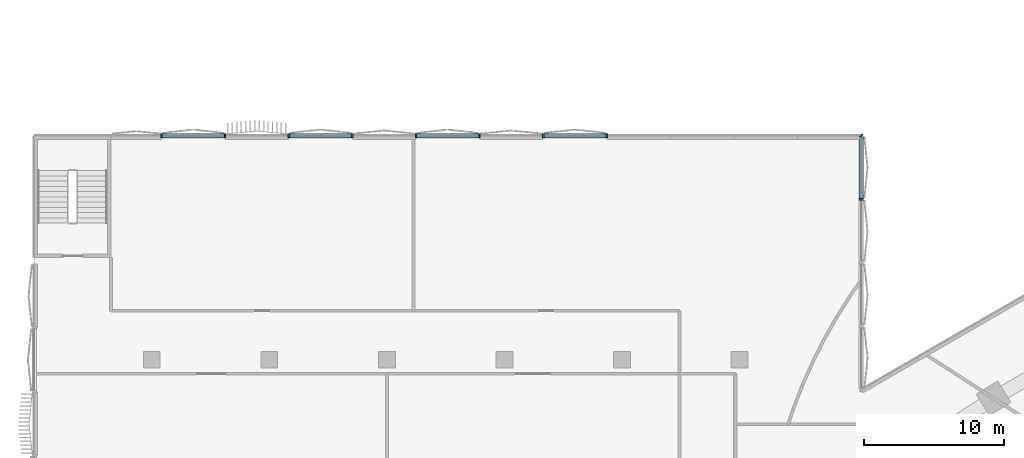
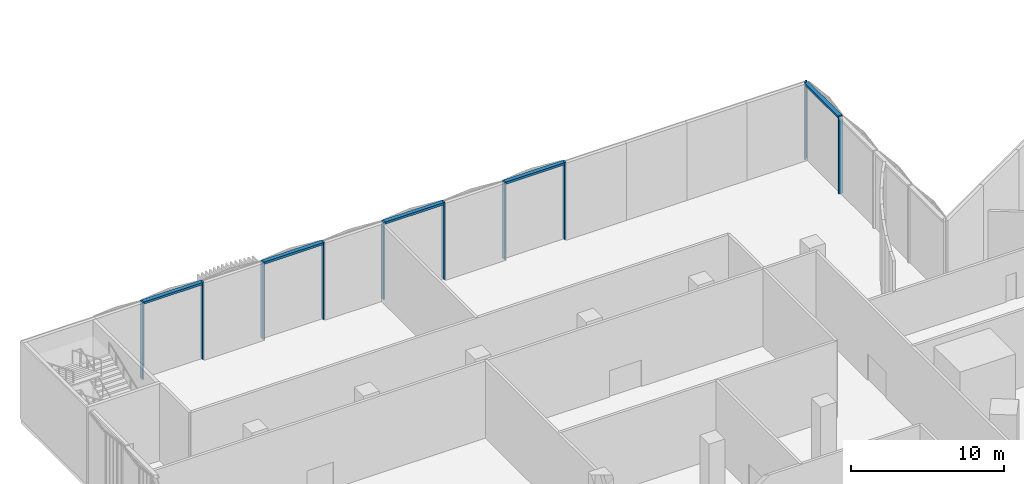
# One storey, part 8 of 32: 15 members, 2 elements without a shape of their own.
"""IFC4 building model written with IfcOpenShell, lengths in metres."""

import ifcopenshell
import ifcopenshell.guid

model = None  # the IFC model being written
_history = None  # IfcOwnerHistory: only IFC2X3 demands one
_inside = {}  # id of a spatial element -> (the spatial element, [elements in it])
_under = {}  # id of a project, library or spatial element -> (it, [spatial elements below it])
_declared = {}  # id of a project -> (the project, [libraries it declares])
_typed = {}  # id of a type object -> (the type object, [elements of that type])
_made_of = {}  # id of a material, layer set ... -> (it, [elements and type objects made of it])


def new_model(schema):
    """Start an empty IFC model of exactly this schema.

    Asked for "IFC4X3", IfcOpenShell would pick the latest addendum, in which some entities
    have other attributes; the version numbers below select the first issue.
    IFC2X3 requires an IfcOwnerHistory on every rooted entity: one is made here for all.
    """
    global model, _history
    if schema == "IFC4X3":
        model = ifcopenshell.file(schema_version=(4, 3, 0, 0))
    else:
        model = ifcopenshell.file(schema=schema)
    _inside.clear()
    _under.clear()
    _declared.clear()
    _typed.clear()
    _made_of.clear()
    _history = None
    if model.schema == "IFC2X3":
        org = make("IfcOrganization", Name="unknown")
        user = make(
            "IfcPersonAndOrganization",
            ThePerson=make("IfcPerson", FamilyName="unknown"),
            TheOrganization=org,
        )
        app = make(
            "IfcApplication",
            ApplicationDeveloper=org,
            Version="unknown",
            ApplicationFullName="unknown",
            ApplicationIdentifier="unknown",
        )
        _history = make(
            "IfcOwnerHistory",
            OwningUser=user,
            OwningApplication=app,
            ChangeAction="ADDED",
            CreationDate=0,
        )
    return model


def make(cls, **values):
    """One entity of the class cls with the attributes given. An attribute that is None is left unset."""
    return model.create_entity(
        cls, **{name: value for name, value in values.items() if value is not None}
    )


def rooted(cls, **values):
    """An entity with a GlobalId (a new one), such as an element, a storey or a relation."""
    return make(cls, GlobalId=ifcopenshell.guid.new(), OwnerHistory=_history, **values)


def si_unit(unit_type, name, prefix=None):
    """IfcSIUnit, for example si_unit("LENGTHUNIT", "METRE", prefix="MILLI")."""
    return make("IfcSIUnit", UnitType=unit_type, Prefix=prefix, Name=name)


def assignment(units):
    """IfcUnitAssignment: the units of a project."""
    return None if units is None else make("IfcUnitAssignment", Units=units)


def point(xyz):
    """IfcCartesianPoint."""
    return None if xyz is None else make("IfcCartesianPoint", Coordinates=xyz)


def direction(xyz):
    """IfcDirection."""
    return None if xyz is None else make("IfcDirection", DirectionRatios=xyz)


def frame(location, z_axis=None, x_axis=None):
    """IfcAxis2Placement3D, a coordinate frame: its origin and axes. An axis left out is left unset."""
    return make(
        "IfcAxis2Placement3D",
        Location=point(location),
        Axis=direction(z_axis),
        RefDirection=direction(x_axis),
    )


def frame_2d(location, x_axis=None):
    """IfcAxis2Placement2D, a coordinate frame in the plane: its origin and x axis."""
    return make(
        "IfcAxis2Placement2D", Location=point(location), RefDirection=direction(x_axis)
    )


def origin():
    """The frame at (0, 0, 0) with its axes left unset."""
    return frame((0.0, 0.0, 0.0))


def origin_2d():
    """The frame at (0, 0) in the plane with its x axis left unset."""
    return frame_2d((0.0, 0.0))


def place(relative_to, where):
    """IfcLocalPlacement: puts the frame where relative to a parent placement (None: the world)."""
    return make(
        "IfcLocalPlacement", PlacementRelTo=relative_to, RelativePlacement=where
    )


def context(
    kind, dimensions, precision=None, world=None, true_north=None, identifier=None
):
    """IfcGeometricRepresentationContext, for example the 3D "Model" context."""
    return make(
        "IfcGeometricRepresentationContext",
        ContextIdentifier=identifier,
        ContextType=kind,
        CoordinateSpaceDimension=dimensions,
        Precision=precision,
        WorldCoordinateSystem=world,
        TrueNorth=true_north,
    )


def subcontext(parent, identifier, kind, view, scale=None):
    """IfcGeometricRepresentationSubContext, for example "Body" below "Model"."""
    return make(
        "IfcGeometricRepresentationSubContext",
        ContextIdentifier=identifier,
        ContextType=kind,
        ParentContext=parent,
        TargetScale=scale,
        TargetView=view,
    )


def project(units=None, contexts=None):
    """IfcProject with its units and contexts."""
    return rooted(
        "IfcProject",
        Name="project",
        RepresentationContexts=contexts,
        UnitsInContext=assignment(units),
    )


def spatial(cls, under=None, at=None, **own):
    """A site, building, storey or space (cls), placed at a placement, below another one or the project."""
    s = rooted(cls, ObjectPlacement=at, **own)
    if under is not None:
        _under.setdefault(under.id(), (under, []))[1].append(s)
    return s


def profile(cls, at=None, kind="AREA", **sizes):
    """A parametric profile (cls). Its sizes go by their IFC names, for example OverallWidth=200.0."""
    return make(cls, ProfileType=kind, Position=at, **sizes)


def rectangle(**sizes):
    """IfcRectangleProfileDef."""
    return profile("IfcRectangleProfileDef", **sizes)


def extrude(swept, where, along, depth):
    """IfcExtrudedAreaSolid: the profile swept, set in the frame where, extruded along a direction by depth."""
    return make(
        "IfcExtrudedAreaSolid",
        SweptArea=swept,
        Position=where,
        ExtrudedDirection=direction(along),
        Depth=depth,
    )


def shape(context_of_items, identifier, shape_type, items):
    """IfcShapeRepresentation: the items that make up one representation, for example the "Body"."""
    return make(
        "IfcShapeRepresentation",
        ContextOfItems=context_of_items,
        RepresentationIdentifier=identifier,
        RepresentationType=shape_type,
        Items=items,
    )


def material(Name=None, Category=None):
    """IfcMaterial."""
    return make("IfcMaterial", Name=Name, Category=Category)


def material_profile(
    of_material, cross_section, Name=None, Category=None, Priority=None
):
    """IfcMaterialProfile: a cross section and its material."""
    return make(
        "IfcMaterialProfile",
        Name=Name,
        Material=of_material,
        Profile=cross_section,
        Priority=Priority,
        Category=Category,
    )


def profile_set(profiles, Name=None, composite=None):
    """IfcMaterialProfileSet."""
    return make(
        "IfcMaterialProfileSet",
        Name=Name,
        MaterialProfiles=profiles,
        CompositeProfile=composite,
    )


def made_of(thing, what):
    """Note that an element or type object is made of a material, layer set ...; save() writes the relation."""
    if what is not None:
        _made_of.setdefault(what.id(), (what, []))[1].append(thing)
    return thing


def type_object(cls, material=None, **own):
    """A type object (cls), such as IfcWallType, which elements share."""
    return made_of(rooted(cls, **own), material)


def element(
    cls,
    number,
    at=None,
    inside=None,
    cuts=None,
    type_object=None,
    material=None,
    context=None,
    identifier="Body",
    shape_type=None,
    held_by="IfcProductDefinitionShape",
    body=None,
    shapes=None,
    **own,
):
    """One element of the class cls, such as IfcWall. Its Tag is "e" and its number.

    at: its placement. inside: the storey or other place that contains it. cuts: it is an
    opening in that element (IfcRelVoidsElement). A single representation is given by context,
    identifier, shape_type and body (its items); several are given by shapes. held_by: the class
    of the entity that holds the representations. save() writes the other relations.
    """
    e = rooted(cls, Tag="e%d" % number, ObjectPlacement=at, **own)
    if body is not None:
        shapes = [shape(context, identifier, shape_type, body)]
    if shapes is not None:
        e.Representation = make(held_by, Representations=shapes)
    if inside is not None:
        _inside.setdefault(inside.id(), (inside, []))[1].append(e)
    if cuts is not None:
        rooted(
            "IfcRelVoidsElement", RelatingBuildingElement=cuts, RelatedOpeningElement=e
        )
    if type_object is not None:
        _typed.setdefault(type_object.id(), (type_object, []))[1].append(e)
    return made_of(e, material)


def aggregate(whole, parts):
    """IfcRelAggregates: a whole, such as a stair, and the parts it consists of."""
    return rooted("IfcRelAggregates", RelatingObject=whole, RelatedObjects=parts)


def save(model, path):
    """Write the relations noted so far, then the file.

    IfcRelAggregates (storeys below a building ...), IfcRelContainedInSpatialStructure (elements
    in a storey), IfcRelDefinesByType, IfcRelAssociatesMaterial and IfcRelDeclares: one each for
    every whole, place, type object, material and project.
    """
    for whole, parts in _under.values():
        aggregate(whole, parts)
    for where, things in _inside.values():
        rooted(
            "IfcRelContainedInSpatialStructure",
            RelatedElements=things,
            RelatingStructure=where,
        )
    for kind, things in _typed.values():
        rooted("IfcRelDefinesByType", RelatedObjects=things, RelatingType=kind)
    for what, things in _made_of.values():
        rooted("IfcRelAssociatesMaterial", RelatedObjects=things, RelatingMaterial=what)
    for by, libraries in _declared.values():
        rooted("IfcRelDeclares", RelatingContext=by, RelatedDefinitions=libraries)
    model.write(path)


model = new_model("IFC4")

# Units and contexts
model_context = context("Model", 3, precision=1e-05, world=origin(), true_north=direction((0.0, 1.0)))
body_context = subcontext(model_context, "Body", "Model", "MODEL_VIEW")
ifc_project = project(units=[si_unit("LENGTHUNIT", "METRE"), si_unit("AREAUNIT", "SQUARE_METRE"), si_unit("VOLUMEUNIT", "CUBIC_METRE"), si_unit("PLANEANGLEUNIT", "RADIAN"), si_unit("MASSUNIT", "GRAM", prefix="KILO")], contexts=[model_context])

# Site, building, storey
site_placement = place(None, origin())
site = spatial("IfcSite", under=ifc_project, at=site_placement, CompositionType="ELEMENT")
building_placement = place(site_placement, origin())
building = spatial("IfcBuilding", under=site, at=building_placement, Name="Tamra Quay Hotel Tower", CompositionType="ELEMENT")
storey_placement = place(building_placement, frame((0.0, 0.0, 7.5)))
storey = spatial("IfcBuildingStorey", under=building, at=storey_placement, Name="L01", CompositionType="ELEMENT", Elevation=7.5)

# Curtain wall, members
ifc_material = material(Name="Aluminium 6063 anodised dark grey", Category="aluminium")
curtain_wall_type = type_object("IfcCurtainWallType", Name="CW4 CURTAIN WALL", PredefinedType="NOTDEFINED", material=ifc_material)
curtain_wall_1_placement = place(storey_placement, origin())
curtain_wall_1 = element("IfcCurtainWall", 1, at=curtain_wall_1_placement, inside=storey, type_object=curtain_wall_type, Name="CW4 east face L01", PredefinedType="NOTDEFINED")
ifc_material_profile_1 = material_profile(ifc_material, rectangle(XDim=0.300048828125, YDim=0.1201171875, at=origin_2d()), Name="MULLION 120X300")
ifc_profile_set_1 = profile_set([ifc_material_profile_1], Name="Aluminium 6063 anodised dark grey")
member_type_1 = type_object("IfcMemberType", Name="MULLION CW4", PredefinedType="MULLION", material=ifc_profile_set_1)
member_1_placement = place(storey_placement, frame((-30.0, 27.464111328125, 0.0), z_axis=(0.0, 0.0, 1.0), x_axis=(1.0, 0.0, 0.0)))
member_1 = element("IfcMember", 2, at=member_1_placement, type_object=member_type_1, Name="CW4 mullion L01.E.21", PredefinedType="MULLION", context=body_context, shape_type="SweptSolid", body=[
    extrude(rectangle(XDim=0.300048828125, YDim=0.1201171875, at=origin_2d()), origin(), (0.0, 0.0, 1.0), 6.14990234375),
])
member_2_placement = place(storey_placement, frame((-30.0, 32.0, 0.0), z_axis=(0.0, 0.0, 1.0), x_axis=(0.707106781187, 0.707106781187, 0.0)))
member_2 = element("IfcMember", 3, at=member_2_placement, type_object=member_type_1, Name="CW4 mullion L01.E.22", PredefinedType="MULLION", context=body_context, shape_type="SweptSolid", body=[
    extrude(rectangle(XDim=0.300048828125, YDim=0.1201171875, at=origin_2d()), origin(), (0.0, 0.0, 1.0), 6.14990234375),
])

curtain_wall_2_placement = place(storey_placement, origin())
curtain_wall_2 = element("IfcCurtainWall", 4, at=curtain_wall_2_placement, inside=storey, type_object=curtain_wall_type, Name="CW4 north-west face L01", PredefinedType="NOTDEFINED")
member_3_placement = place(storey_placement, frame((-48.1845703125, 32.0, 0.0), z_axis=(0.0, 0.0, 1.0), x_axis=(0.0, 1.0, 0.0)))
member_3 = element("IfcMember", 5, at=member_3_placement, type_object=member_type_1, Name="CW4 mullion L01.NW.1", PredefinedType="MULLION", context=body_context, shape_type="SweptSolid", body=[
    extrude(rectangle(XDim=0.300048828125, YDim=0.1201171875, at=origin_2d()), origin(), (0.0, 0.0, 1.0), 6.14990234375),
])
member_4_placement = place(storey_placement, frame((-52.730712890625, 32.0, 0.0), z_axis=(0.0, 0.0, 1.0), x_axis=(0.0, 1.0, 0.0)))
member_4 = element("IfcMember", 6, at=member_4_placement, type_object=member_type_1, Name="CW4 mullion L01.NW.2", PredefinedType="MULLION", context=body_context, shape_type="SweptSolid", body=[
    extrude(rectangle(XDim=0.300048828125, YDim=0.1201171875, at=origin_2d()), origin(), (0.0, 0.0, 1.0), 6.14990234375),
])
member_5_placement = place(storey_placement, frame((-57.27685546875, 32.0, 0.0), z_axis=(0.0, 0.0, 1.0), x_axis=(0.0, 1.0, 0.0)))
member_5 = element("IfcMember", 7, at=member_5_placement, type_object=member_type_1, Name="CW4 mullion L01.NW.2", PredefinedType="MULLION", context=body_context, shape_type="SweptSolid", body=[
    extrude(rectangle(XDim=0.300048828125, YDim=0.1201171875, at=origin_2d()), origin(), (0.0, 0.0, 1.0), 6.14990234375),
])
member_6_placement = place(storey_placement, frame((-61.822998046875, 32.0, 0.0), z_axis=(0.0, 0.0, 1.0), x_axis=(0.0, 1.0, 0.0)))
member_6 = element("IfcMember", 8, at=member_6_placement, type_object=member_type_1, Name="CW4 mullion L01.NW.3", PredefinedType="MULLION", context=body_context, shape_type="SweptSolid", body=[
    extrude(rectangle(XDim=0.300048828125, YDim=0.1201171875, at=origin_2d()), origin(), (0.0, 0.0, 1.0), 6.14990234375),
])
member_7_placement = place(storey_placement, frame((-66.369140625, 32.0, 0.0), z_axis=(0.0, 0.0, 1.0), x_axis=(0.0, 1.0, 0.0)))
member_7 = element("IfcMember", 9, at=member_7_placement, type_object=member_type_1, Name="CW4 mullion L01.NW.3", PredefinedType="MULLION", context=body_context, shape_type="SweptSolid", body=[
    extrude(rectangle(XDim=0.300048828125, YDim=0.1201171875, at=origin_2d()), origin(), (0.0, 0.0, 1.0), 6.14990234375),
])
member_8_placement = place(storey_placement, frame((-70.915283203125, 32.0, 0.0), z_axis=(0.0, 0.0, 1.0), x_axis=(0.0, 1.0, 0.0)))
member_8 = element("IfcMember", 10, at=member_8_placement, type_object=member_type_1, Name="CW4 mullion L01.NW.4", PredefinedType="MULLION", context=body_context, shape_type="SweptSolid", body=[
    extrude(rectangle(XDim=0.300048828125, YDim=0.1201171875, at=origin_2d()), origin(), (0.0, 0.0, 1.0), 6.14990234375),
])
member_9_placement = place(storey_placement, frame((-75.46142578125, 32.0, 0.0), z_axis=(0.0, 0.0, 1.0), x_axis=(0.0, 1.0, 0.0)))
member_9 = element("IfcMember", 11, at=member_9_placement, type_object=member_type_1, Name="CW4 mullion L01.NW.4", PredefinedType="MULLION", context=body_context, shape_type="SweptSolid", body=[
    extrude(rectangle(XDim=0.300048828125, YDim=0.1201171875, at=origin_2d()), origin(), (0.0, 0.0, 1.0), 6.14990234375),
])
member_10_placement = place(storey_placement, frame((-80.0078125, 32.0, 0.0), z_axis=(0.0, 0.0, 1.0), x_axis=(0.0, 1.0, 0.0)))
member_10 = element("IfcMember", 12, at=member_10_placement, type_object=member_type_1, Name="CW4 mullion L01.NW.5", PredefinedType="MULLION", context=body_context, shape_type="SweptSolid", body=[
    extrude(rectangle(XDim=0.300048828125, YDim=0.1201171875, at=origin_2d()), origin(), (0.0, 0.0, 1.0), 6.14990234375),
])

# Member
ifc_material_profile_2 = material_profile(ifc_material, rectangle(XDim=0.300048828125, YDim=0.179931640625, at=origin_2d()), Name="TRANSOM 300X180")
ifc_profile_set_2 = profile_set([ifc_material_profile_2], Name="Aluminium 6063 anodised dark grey")
member_type_2 = type_object("IfcMemberType", Name="TRANSOM CW4", PredefinedType="USERDEFINED", material=ifc_profile_set_2)
member_11_placement = place(storey_placement, frame((-30.0, 27.524169921875, 6.06005859375), z_axis=(0.0, 1.0, 0.0), x_axis=(-1.0, 0.0, 0.0)))
member_11 = element("IfcMember", 13, at=member_11_placement, type_object=member_type_2, Name="CW4 transom L01.E.21", ObjectType="TRANSOM", PredefinedType="USERDEFINED", context=body_context, shape_type="SweptSolid", body=[
    extrude(rectangle(XDim=0.300048828125, YDim=0.179931640625, at=origin_2d()), origin(), (0.0, 0.0, 1.0), 4.415771484375),
])

aggregate(curtain_wall_1, [member_1, member_11, member_2])

member_12_placement = place(storey_placement, frame((-48.24462890625, 32.0, 6.06005859375), z_axis=(-1.0, 0.0, 0.0), x_axis=(0.0, -1.0, 0.0)))
member_12 = element("IfcMember", 14, at=member_12_placement, type_object=member_type_2, Name="CW4 transom L01.NW.1", ObjectType="TRANSOM", PredefinedType="USERDEFINED", context=body_context, shape_type="SweptSolid", body=[
    extrude(rectangle(XDim=0.300048828125, YDim=0.179931640625, at=origin_2d()), origin(), (0.0, 0.0, 1.0), 4.426025390625),
])

member_13_placement = place(storey_placement, frame((-57.3369140625, 32.0, 6.06005859375), z_axis=(-1.0, 0.0, 0.0), x_axis=(0.0, -1.0, 0.0)))
member_13 = element("IfcMember", 15, at=member_13_placement, type_object=member_type_2, Name="CW4 transom L01.NW.2", ObjectType="TRANSOM", PredefinedType="USERDEFINED", context=body_context, shape_type="SweptSolid", body=[
    extrude(rectangle(XDim=0.300048828125, YDim=0.179931640625, at=origin_2d()), origin(), (0.0, 0.0, 1.0), 4.42626953125),
])

member_14_placement = place(storey_placement, frame((-66.42919921875, 32.0, 6.06005859375), z_axis=(-1.0, 0.0, 0.0), x_axis=(0.0, -1.0, 0.0)))
member_14 = element("IfcMember", 16, at=member_14_placement, type_object=member_type_2, Name="CW4 transom L01.NW.3", ObjectType="TRANSOM", PredefinedType="USERDEFINED", context=body_context, shape_type="SweptSolid", body=[
    extrude(rectangle(XDim=0.300048828125, YDim=0.179931640625, at=origin_2d()), origin(), (0.0, 0.0, 1.0), 4.42626953125),
])

member_15_placement = place(storey_placement, frame((-75.521484375, 32.0, 6.06005859375), z_axis=(-1.0, 0.0, 0.0), x_axis=(0.0, -1.0, 0.0)))
member_15 = element("IfcMember", 17, at=member_15_placement, type_object=member_type_2, Name="CW4 transom L01.NW.4", ObjectType="TRANSOM", PredefinedType="USERDEFINED", context=body_context, shape_type="SweptSolid", body=[
    extrude(rectangle(XDim=0.300048828125, YDim=0.179931640625, at=origin_2d()), origin(), (0.0, 0.0, 1.0), 4.42626953125),
])

aggregate(curtain_wall_2, [member_3, member_12, member_4, member_5, member_13, member_6, member_7, member_14, member_8, member_9, member_15, member_10])

save(model, "model.ifc")
